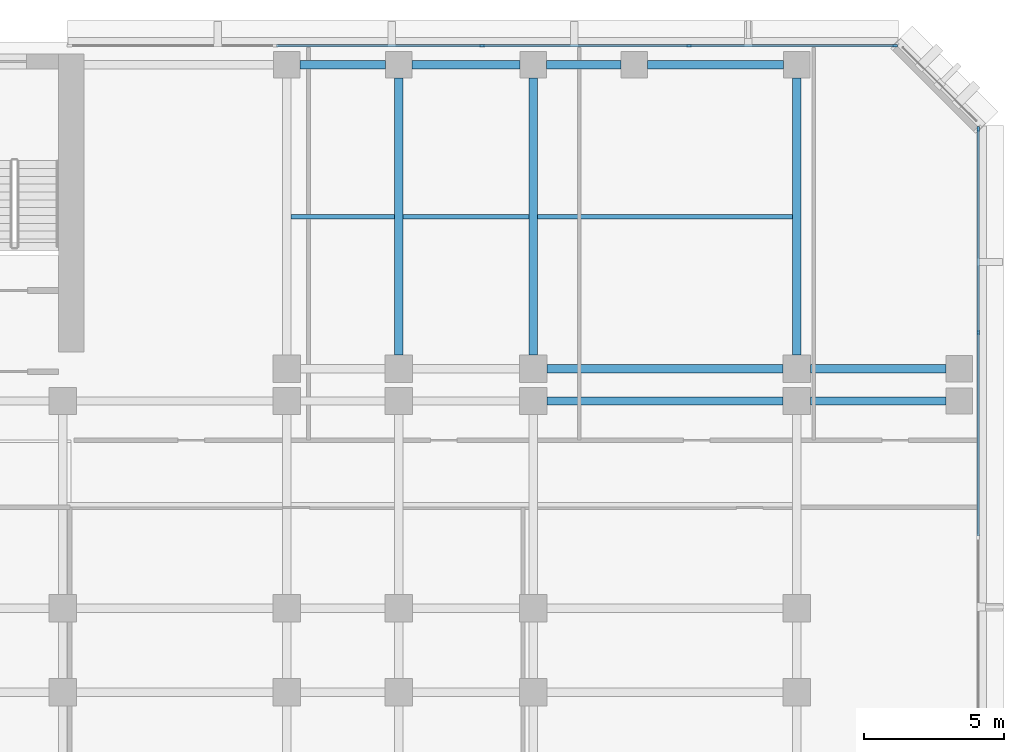
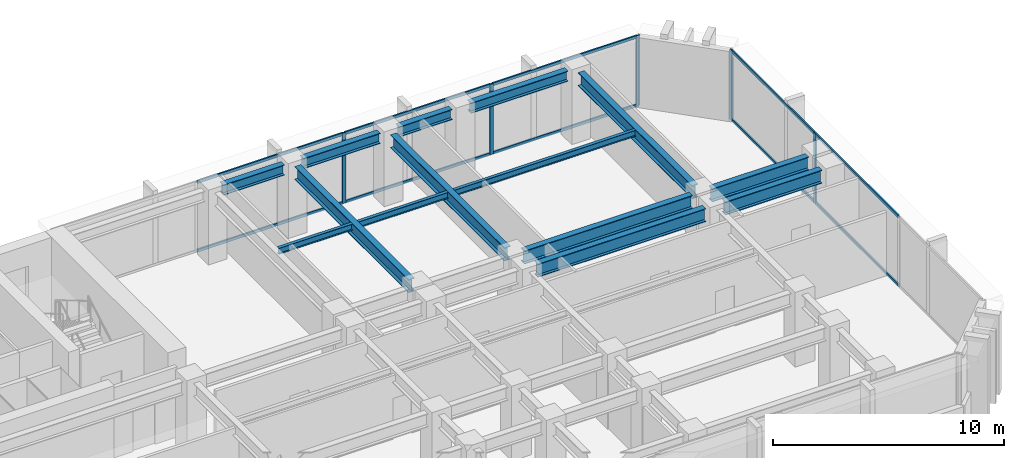
# One storey, part 5 of 13: 15 members, 14 beams, 2 elements without a shape of their own.
"""IFC4 building model written with IfcOpenShell, lengths in metres."""

from ifc_helpers import new_model, si_unit, direction, frame, origin, origin_2d, place, context, subcontext, project, spatial, rectangle, i_section, extrude, material, layer, layer_set, material_profile, profile_set, type_object, element, aggregate, save


model = new_model("IFC4")

# Units and contexts
model_context = context("Model", 3, precision=1e-05, world=origin(), true_north=direction((0.0, 1.0)))
body_context = subcontext(model_context, "Body", "Model", "MODEL_VIEW")
ifc_project = project(units=[si_unit("LENGTHUNIT", "METRE"), si_unit("AREAUNIT", "SQUARE_METRE"), si_unit("VOLUMEUNIT", "CUBIC_METRE"), si_unit("PLANEANGLEUNIT", "RADIAN"), si_unit("MASSUNIT", "GRAM", prefix="KILO")], contexts=[model_context])

# Site, building, storey
site_placement = place(None, origin())
site = spatial("IfcSite", under=ifc_project, at=site_placement, CompositionType="ELEMENT")
building_placement = place(site_placement, origin())
building = spatial("IfcBuilding", under=site, at=building_placement, Name="Kefirva Bronze Tower", CompositionType="ELEMENT")
storey_placement = place(building_placement, frame((0.0, 0.0, 46.199951171875)))
storey = spatial("IfcBuildingStorey", under=building, at=storey_placement, Name="L10", CompositionType="ELEMENT", Elevation=46.199951171875)

# Curtain wall, members
ifc_material_1 = material(Name="Bronze anodised aluminium", Category="aluminium")
ifc_layer = layer(ifc_material_1, 0.199951171875, Name="Bronze anodised aluminium")
ifc_layer_set = layer_set([ifc_layer], Name="Bronze anodised aluminium")
curtain_wall_type = type_object("IfcCurtainWallType", Name="Unitised Bronze Ribbon Curtain Wall Zone 1", PredefinedType="USERDEFINED", material=ifc_layer_set)
curtain_wall_1_placement = place(storey_placement, origin())
curtain_wall_1 = element("IfcCurtainWall", 1, at=curtain_wall_1_placement, inside=storey, type_object=curtain_wall_type, Name="L10 Curtain Wall 3", ObjectType="UNITISED CURTAIN WALL", PredefinedType="USERDEFINED")
ifc_material_profile_1 = material_profile(ifc_material_1, rectangle(XDim=0.074951171875, YDim=0.179931640625, at=origin_2d()), Name="ALU 75x180")
ifc_profile_set_1 = profile_set([ifc_material_profile_1], Name="Bronze anodised aluminium")
member_type_1 = type_object("IfcMemberType", Name="Bronze Mullion 75x180", PredefinedType="MULLION", material=ifc_profile_set_1)
member_1_placement = place(storey_placement, frame((55.8798828125, 35.6484375, 0.0), z_axis=(0.0, 0.0, 1.0), x_axis=(-1.0, 0.0, 0.0)))
member_1 = element("IfcMember", 2, at=member_1_placement, type_object=member_type_1, Name="CW-01 mullion 3", PredefinedType="MULLION", context=body_context, shape_type="SweptSolid", body=[
    extrude(rectangle(XDim=0.074951171875, YDim=0.179931640625, at=origin_2d()), origin(), (0.0, 0.0, 1.0), 3.7099609375),
])
member_2_placement = place(storey_placement, frame((55.8798828125, 42.907470703125, 0.0), z_axis=(0.0, 0.0, 1.0), x_axis=(-1.0, 0.0, 0.0)))
member_2 = element("IfcMember", 3, at=member_2_placement, type_object=member_type_1, Name="CW-01 mullion 4", PredefinedType="MULLION", context=body_context, shape_type="SweptSolid", body=[
    extrude(rectangle(XDim=0.074951171875, YDim=0.179931640625, at=origin_2d()), origin(), (0.0, 0.0, 1.0), 3.7099609375),
])

curtain_wall_2_placement = place(storey_placement, origin())
curtain_wall_2 = element("IfcCurtainWall", 4, at=curtain_wall_2_placement, inside=storey, type_object=curtain_wall_type, Name="L10 Curtain Wall 4", ObjectType="UNITISED CURTAIN WALL", PredefinedType="USERDEFINED")
member_3_placement = place(storey_placement, frame((52.907470703125, 45.8798828125, 0.0), z_axis=(0.0, 0.0, 1.0), x_axis=(0.0, -1.0, 0.0)))
member_3 = element("IfcMember", 5, at=member_3_placement, type_object=member_type_1, Name="CW-01 mullion 1", PredefinedType="MULLION", context=body_context, shape_type="SweptSolid", body=[
    extrude(rectangle(XDim=0.074951171875, YDim=0.179931640625, at=origin_2d()), origin(), (0.0, 0.0, 1.0), 3.7099609375),
])
member_4_placement = place(storey_placement, frame((45.56005859375, 45.8798828125, 0.0), z_axis=(0.0, 0.0, 1.0), x_axis=(0.0, -1.0, 0.0)))
member_4 = element("IfcMember", 6, at=member_4_placement, type_object=member_type_1, Name="CW-01 mullion 2", PredefinedType="MULLION", context=body_context, shape_type="SweptSolid", body=[
    extrude(rectangle(XDim=0.074951171875, YDim=0.179931640625, at=origin_2d()), origin(), (0.0, 0.0, 1.0), 3.7099609375),
])
member_5_placement = place(storey_placement, frame((38.175048828125, 45.8798828125, 0.0), z_axis=(0.0, 0.0, 1.0), x_axis=(0.0, -1.0, 0.0)))
member_5 = element("IfcMember", 7, at=member_5_placement, type_object=member_type_1, Name="CW-01 mullion 3", PredefinedType="MULLION", context=body_context, shape_type="SweptSolid", body=[
    extrude(rectangle(XDim=0.074951171875, YDim=0.179931640625, at=origin_2d()), origin(), (0.0, 0.0, 1.0), 3.7099609375),
])

# Member
ifc_material_profile_2 = material_profile(ifc_material_1, rectangle(XDim=0.074951171875, YDim=0.14990234375, at=origin_2d()), Name="ALU 75x150")
ifc_profile_set_2 = profile_set([ifc_material_profile_2], Name="Bronze anodised aluminium")
member_type_2 = type_object("IfcMemberType", Name="Bronze Transom 75x150", PredefinedType="USERDEFINED", material=ifc_profile_set_2)
member_6_placement = place(storey_placement, frame((55.8798828125, 28.38916015625, 0.03759765625), z_axis=(0.0, 1.0, 0.0), x_axis=(-1.0, 0.0, 0.0)))
member_6 = element("IfcMember", 8, at=member_6_placement, type_object=member_type_2, Name="CW-01 transom 2.1", ObjectType="TRANSOM", PredefinedType="USERDEFINED", context=body_context, shape_type="SweptSolid", body=[
    extrude(rectangle(XDim=0.074951171875, YDim=0.14990234375, at=origin_2d()), origin(), (0.0, 0.0, 1.0), 7.2216796875),
])

member_7_placement = place(storey_placement, frame((55.8798828125, 28.38916015625, 3.672607421875), z_axis=(0.0, 1.0, 0.0), x_axis=(-1.0, 0.0, 0.0)))
member_7 = element("IfcMember", 9, at=member_7_placement, type_object=member_type_2, Name="CW-01 transom 2.2", ObjectType="TRANSOM", PredefinedType="USERDEFINED", context=body_context, shape_type="SweptSolid", body=[
    extrude(rectangle(XDim=0.074951171875, YDim=0.14990234375, at=origin_2d()), origin(), (0.0, 0.0, 1.0), 7.2216796875),
])

member_8_placement = place(storey_placement, frame((55.8798828125, 35.685791015625, 0.03759765625), z_axis=(0.0, 1.0, 0.0), x_axis=(-1.0, 0.0, 0.0)))
member_8 = element("IfcMember", 10, at=member_8_placement, type_object=member_type_2, Name="CW-01 transom 3.1", ObjectType="TRANSOM", PredefinedType="USERDEFINED", context=body_context, shape_type="SweptSolid", body=[
    extrude(rectangle(XDim=0.074951171875, YDim=0.14990234375, at=origin_2d()), origin(), (0.0, 0.0, 1.0), 7.184326171875),
])

member_9_placement = place(storey_placement, frame((55.8798828125, 35.685791015625, 3.672607421875), z_axis=(0.0, 1.0, 0.0), x_axis=(-1.0, 0.0, 0.0)))
member_9 = element("IfcMember", 11, at=member_9_placement, type_object=member_type_2, Name="CW-01 transom 3.2", ObjectType="TRANSOM", PredefinedType="USERDEFINED", context=body_context, shape_type="SweptSolid", body=[
    extrude(rectangle(XDim=0.074951171875, YDim=0.14990234375, at=origin_2d()), origin(), (0.0, 0.0, 1.0), 7.184326171875),
])

aggregate(curtain_wall_1, [member_1, member_2, member_6, member_7, member_8, member_9])

member_10_placement = place(storey_placement, frame((52.8701171875, 45.8798828125, 0.03759765625), z_axis=(-1.0, 0.0, 0.0), x_axis=(0.0, -1.0, 0.0)))
member_10 = element("IfcMember", 12, at=member_10_placement, type_object=member_type_2, Name="CW-01 transom 1.1", ObjectType="TRANSOM", PredefinedType="USERDEFINED", context=body_context, shape_type="SweptSolid", body=[
    extrude(rectangle(XDim=0.074951171875, YDim=0.14990234375, at=origin_2d()), origin(), (0.0, 0.0, 1.0), 7.272705078125),
])

member_11_placement = place(storey_placement, frame((52.8701171875, 45.8798828125, 3.672607421875), z_axis=(-1.0, 0.0, 0.0), x_axis=(0.0, -1.0, 0.0)))
member_11 = element("IfcMember", 13, at=member_11_placement, type_object=member_type_2, Name="CW-01 transom 1.2", ObjectType="TRANSOM", PredefinedType="USERDEFINED", context=body_context, shape_type="SweptSolid", body=[
    extrude(rectangle(XDim=0.074951171875, YDim=0.14990234375, at=origin_2d()), origin(), (0.0, 0.0, 1.0), 7.272705078125),
])

member_12_placement = place(storey_placement, frame((45.5224609375, 45.8798828125, 0.03759765625), z_axis=(-1.0, 0.0, 0.0), x_axis=(0.0, -1.0, 0.0)))
member_12 = element("IfcMember", 14, at=member_12_placement, type_object=member_type_2, Name="CW-01 transom 2.1", ObjectType="TRANSOM", PredefinedType="USERDEFINED", context=body_context, shape_type="SweptSolid", body=[
    extrude(rectangle(XDim=0.074951171875, YDim=0.14990234375, at=origin_2d()), origin(), (0.0, 0.0, 1.0), 7.31005859375),
])

member_13_placement = place(storey_placement, frame((45.5224609375, 45.8798828125, 3.672607421875), z_axis=(-1.0, 0.0, 0.0), x_axis=(0.0, -1.0, 0.0)))
member_13 = element("IfcMember", 15, at=member_13_placement, type_object=member_type_2, Name="CW-01 transom 2.2", ObjectType="TRANSOM", PredefinedType="USERDEFINED", context=body_context, shape_type="SweptSolid", body=[
    extrude(rectangle(XDim=0.074951171875, YDim=0.14990234375, at=origin_2d()), origin(), (0.0, 0.0, 1.0), 7.31005859375),
])

member_14_placement = place(storey_placement, frame((38.137451171875, 45.8798828125, 0.03759765625), z_axis=(-1.0, 0.0, 0.0), x_axis=(0.0, -1.0, 0.0)))
member_14 = element("IfcMember", 16, at=member_14_placement, type_object=member_type_2, Name="CW-01 transom 3.1", ObjectType="TRANSOM", PredefinedType="USERDEFINED", context=body_context, shape_type="SweptSolid", body=[
    extrude(rectangle(XDim=0.074951171875, YDim=0.14990234375, at=origin_2d()), origin(), (0.0, 0.0, 1.0), 7.31005859375),
])

member_15_placement = place(storey_placement, frame((38.137451171875, 45.8798828125, 3.672607421875), z_axis=(-1.0, 0.0, 0.0), x_axis=(0.0, -1.0, 0.0)))
member_15 = element("IfcMember", 17, at=member_15_placement, type_object=member_type_2, Name="CW-01 transom 3.2", ObjectType="TRANSOM", PredefinedType="USERDEFINED", context=body_context, shape_type="SweptSolid", body=[
    extrude(rectangle(XDim=0.074951171875, YDim=0.14990234375, at=origin_2d()), origin(), (0.0, 0.0, 1.0), 7.31005859375),
])

aggregate(curtain_wall_2, [member_3, member_4, member_5, member_10, member_11, member_12, member_13, member_14, member_15])

# Beams
ifc_material_2 = material(Name="Steel S355", Category="steel")
ifc_material_profile_3 = material_profile(ifc_material_2, i_section(OverallWidth=0.159912109375, OverallDepth=0.330078125, WebThickness=0.007568359375, FlangeThickness=0.011474609375, at=origin_2d()), Name="IPE 330")
ifc_profile_set_3 = profile_set([ifc_material_profile_3], Name="Steel S355")
beam_type_1 = type_object("IfcBeamType", Name="Steel Floor Joist IPE 330", PredefinedType="JOIST", material=ifc_profile_set_3)
beam_1_placement = place(storey_placement, frame((31.35009765625, 39.784912109375, 3.545166015625), z_axis=(1.0, 0.0, 0.0), x_axis=(0.0, 1.0, 0.0)))
element("IfcBeam", 18, at=beam_1_placement, inside=storey, type_object=beam_type_1, Name="L10 JST-L10-31-397", PredefinedType="JOIST", context=body_context, shape_type="SweptSolid", body=[
    extrude(i_section(OverallWidth=0.159912109375, OverallDepth=0.330078125, WebThickness=0.007568359375, FlangeThickness=0.011474609375, at=origin_2d()), origin(), (0.0, 0.0, 1.0), 3.699951171875),
])
beam_2_placement = place(storey_placement, frame((35.35009765625, 39.784912109375, 3.545166015625), z_axis=(1.0, 0.0, 0.0), x_axis=(0.0, 1.0, 0.0)))
element("IfcBeam", 19, at=beam_2_placement, inside=storey, type_object=beam_type_1, Name="L10 JST-L10-35-397", PredefinedType="JOIST", context=body_context, shape_type="SweptSolid", body=[
    extrude(i_section(OverallWidth=0.159912109375, OverallDepth=0.330078125, WebThickness=0.007568359375, FlangeThickness=0.011474609375, at=origin_2d()), origin(), (0.0, 0.0, 1.0), 4.5),
])
beam_3_placement = place(storey_placement, frame((40.14990234375, 39.784912109375, 3.545166015625), z_axis=(1.0, 0.0, 0.0), x_axis=(0.0, 1.0, 0.0)))
element("IfcBeam", 20, at=beam_3_placement, inside=storey, type_object=beam_type_1, Name="L10 JST-L10-40-397", PredefinedType="JOIST", context=body_context, shape_type="SweptSolid", body=[
    extrude(i_section(OverallWidth=0.159912109375, OverallDepth=0.330078125, WebThickness=0.007568359375, FlangeThickness=0.011474609375, at=origin_2d()), origin(), (0.0, 0.0, 1.0), 9.10009765625),
])
ifc_material_profile_4 = material_profile(ifc_material_2, i_section(OverallWidth=0.300048828125, OverallDepth=0.699951171875, WebThickness=0.01708984375, FlangeThickness=0.031982421875, at=origin_2d()), Name="HEB 700")
ifc_profile_set_4 = profile_set([ifc_material_profile_4], Name="Steel S355")
beam_type_2 = type_object("IfcBeamType", Name="Steel Girder HEB 700", PredefinedType="USERDEFINED", material=ifc_profile_set_4)
beam_4_placement = place(storey_placement, frame((40.489990234375, 33.199951171875, 3.360107421875), z_axis=(1.0, 0.0, 0.0), x_axis=(0.0, 1.0, 0.0)))
element("IfcBeam", 21, at=beam_4_placement, inside=storey, type_object=beam_type_2, Name="L10 BM-L10-EW-40-332", ObjectType="GIRDER", PredefinedType="USERDEFINED", context=body_context, shape_type="SweptSolid", body=[
    extrude(i_section(OverallWidth=0.300048828125, OverallDepth=0.699951171875, WebThickness=0.01708984375, FlangeThickness=0.031982421875, at=origin_2d()), origin(), (0.0, 0.0, 1.0), 8.419921875),
])
beam_5_placement = place(storey_placement, frame((49.889892578125, 33.199951171875, 3.360107421875), z_axis=(1.0, 0.0, 0.0), x_axis=(0.0, 1.0, 0.0)))
element("IfcBeam", 22, at=beam_5_placement, inside=storey, type_object=beam_type_2, Name="L10 BM-L10-EW-49-332", ObjectType="GIRDER", PredefinedType="USERDEFINED", context=body_context, shape_type="SweptSolid", body=[
    extrude(i_section(OverallWidth=0.300048828125, OverallDepth=0.699951171875, WebThickness=0.01708984375, FlangeThickness=0.031982421875, at=origin_2d()), origin(), (0.0, 0.0, 1.0), 4.840087890625),
])
beam_6_placement = place(storey_placement, frame((40.489990234375, 34.35009765625, 3.360107421875), z_axis=(1.0, 0.0, 0.0), x_axis=(0.0, 1.0, 0.0)))
element("IfcBeam", 23, at=beam_6_placement, inside=storey, type_object=beam_type_2, Name="L10 BM-L10-EW-40-344", ObjectType="GIRDER", PredefinedType="USERDEFINED", context=body_context, shape_type="SweptSolid", body=[
    extrude(i_section(OverallWidth=0.300048828125, OverallDepth=0.699951171875, WebThickness=0.01708984375, FlangeThickness=0.031982421875, at=origin_2d()), origin(), (0.0, 0.0, 1.0), 8.419921875),
])
beam_7_placement = place(storey_placement, frame((49.889892578125, 34.35009765625, 3.360107421875), z_axis=(1.0, 0.0, 0.0), x_axis=(0.0, 1.0, 0.0)))
element("IfcBeam", 24, at=beam_7_placement, inside=storey, type_object=beam_type_2, Name="L10 BM-L10-EW-49-344", ObjectType="GIRDER", PredefinedType="USERDEFINED", context=body_context, shape_type="SweptSolid", body=[
    extrude(i_section(OverallWidth=0.300048828125, OverallDepth=0.699951171875, WebThickness=0.01708984375, FlangeThickness=0.031982421875, at=origin_2d()), origin(), (0.0, 0.0, 1.0), 4.840087890625),
])
for number, where, z_axis, x_axis, name in (
    (25, (35.199951171875, 34.840087890625, 3.360107421875), (0.0, 1.0, 0.0), (-1.0, 0.0, 0.0), "L10 BM-L10-NS-352-34"),
    (26, (40.0, 34.840087890625, 3.360107421875), (0.0, 1.0, 0.0), (-1.0, 0.0, 0.0), "L10 BM-L10-NS-400-34"),
    (27, (49.39990234375, 34.840087890625, 3.360107421875), (0.0, 1.0, 0.0), (-1.0, 0.0, 0.0), "L10 BM-L10-NS-494-34"),
):
    element("IfcBeam", number, at=place(storey_placement, frame(where, z_axis=z_axis, x_axis=x_axis)), inside=storey, type_object=beam_type_2, Name=name, ObjectType="GIRDER", PredefinedType="USERDEFINED", context=body_context, shape_type="SweptSolid", body=[
        extrude(i_section(OverallWidth=0.300048828125, OverallDepth=0.699951171875, WebThickness=0.01708984375, FlangeThickness=0.031982421875, at=origin_2d()), origin(), (0.0, 0.0, 1.0), 9.889892578125),
    ])
ifc_material_profile_5 = material_profile(ifc_material_2, i_section(OverallWidth=0.300048828125, OverallDepth=0.550048828125, WebThickness=0.014892578125, FlangeThickness=0.029052734375, at=origin_2d()), Name="HEB 550")
ifc_profile_set_5 = profile_set([ifc_material_profile_5], Name="Steel S355")
beam_type_3 = type_object("IfcBeamType", Name="Steel Spandrel HEB 550 Ext", PredefinedType="SPANDREL", material=ifc_profile_set_5)
beam_8_placement = place(storey_placement, frame((31.669921875, 45.199951171875, 3.43505859375), z_axis=(1.0, 0.0, 0.0), x_axis=(0.0, 1.0, 0.0)))
element("IfcBeam", 28, at=beam_8_placement, inside=storey, type_object=beam_type_3, Name="L10 BM-L10-EW-31-452", PredefinedType="SPANDREL", context=body_context, shape_type="SweptSolid", body=[
    extrude(i_section(OverallWidth=0.300048828125, OverallDepth=0.550048828125, WebThickness=0.014892578125, FlangeThickness=0.029052734375, at=origin_2d()), origin(), (0.0, 0.0, 1.0), 3.06005859375),
])
beam_9_placement = place(storey_placement, frame((35.669921875, 45.199951171875, 3.43505859375), z_axis=(1.0, 0.0, 0.0), x_axis=(0.0, 1.0, 0.0)))
element("IfcBeam", 29, at=beam_9_placement, inside=storey, type_object=beam_type_3, Name="L10 BM-L10-EW-35-452", PredefinedType="SPANDREL", context=body_context, shape_type="SweptSolid", body=[
    extrude(i_section(OverallWidth=0.300048828125, OverallDepth=0.550048828125, WebThickness=0.014892578125, FlangeThickness=0.029052734375, at=origin_2d()), origin(), (0.0, 0.0, 1.0), 3.860107421875),
])
beam_10_placement = place(storey_placement, frame((40.469970703125, 45.199951171875, 3.43505859375), z_axis=(1.0, 0.0, 0.0), x_axis=(0.0, 1.0, 0.0)))
element("IfcBeam", 30, at=beam_10_placement, inside=storey, type_object=beam_type_3, Name="L10 BM-L10-EW-40-452", PredefinedType="SPANDREL", context=body_context, shape_type="SweptSolid", body=[
    extrude(i_section(OverallWidth=0.300048828125, OverallDepth=0.550048828125, WebThickness=0.014892578125, FlangeThickness=0.029052734375, at=origin_2d()), origin(), (0.0, 0.0, 1.0), 2.659912109375),
])
beam_11_placement = place(storey_placement, frame((44.070068359375, 45.199951171875, 3.43505859375), z_axis=(1.0, 0.0, 0.0), x_axis=(0.0, 1.0, 0.0)))
element("IfcBeam", 31, at=beam_11_placement, inside=storey, type_object=beam_type_3, Name="L10 BM-L10-EW-43-452", PredefinedType="SPANDREL", context=body_context, shape_type="SweptSolid", body=[
    extrude(i_section(OverallWidth=0.300048828125, OverallDepth=0.550048828125, WebThickness=0.014892578125, FlangeThickness=0.029052734375, at=origin_2d()), origin(), (0.0, 0.0, 1.0), 4.85986328125),
])

save(model, "model.ifc")
